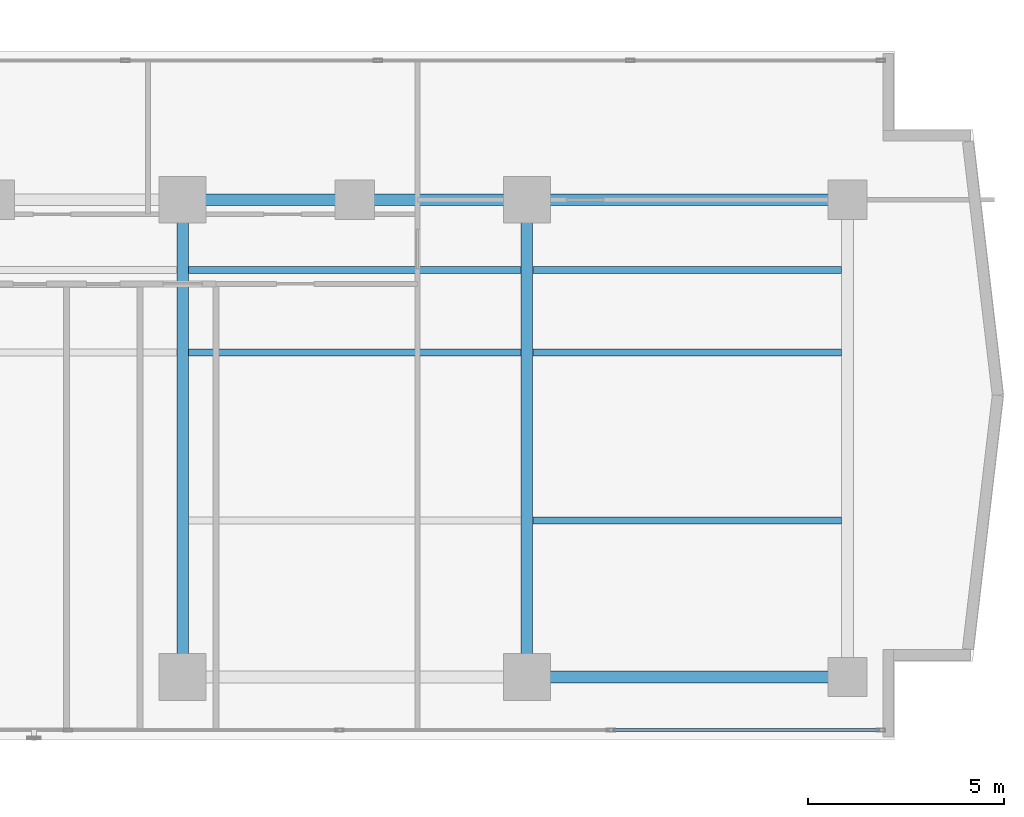
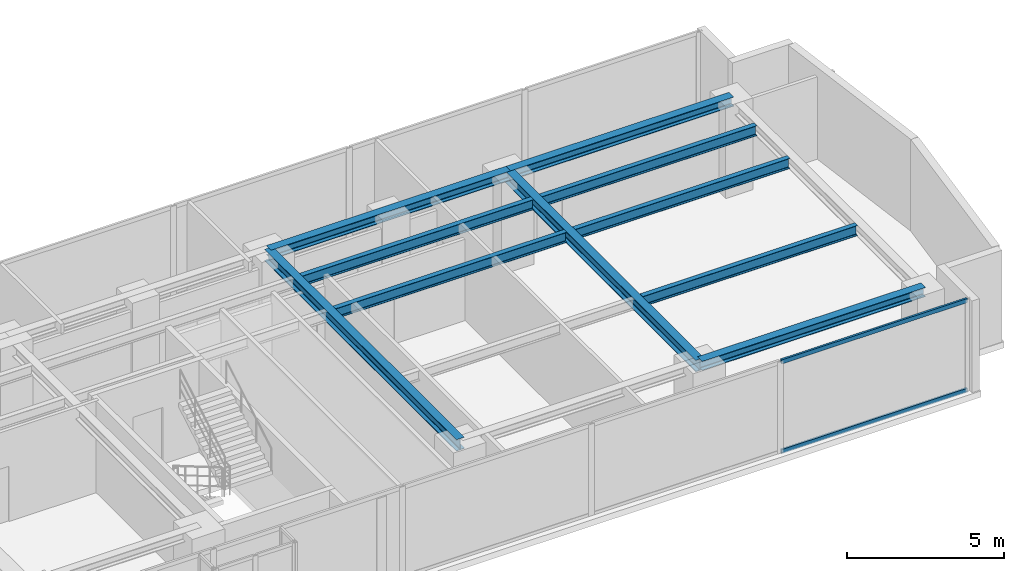
# One storey, part 11 of 24: 10 beams, 2 members, 1 element without a shape of its own.
"""IFC4 building model written with IfcOpenShell, lengths in metres."""

from ifc_helpers import new_model, si_unit, direction, frame, origin, origin_with_axes, origin_2d, place, context, subcontext, project, spatial, hollow_rectangle, i_section, extrude, source, transform, mapped, material, layer, layer_set, material_profile, profile_set, type_object, element, aggregate, save


model = new_model("IFC4")

# Units and contexts
model_context = context("Model", 3, precision=1e-05, world=origin(), true_north=direction((0.0, 1.0)))
body_context = subcontext(model_context, "Body", "Model", "MODEL_VIEW")
ifc_project = project(units=[si_unit("LENGTHUNIT", "METRE"), si_unit("AREAUNIT", "SQUARE_METRE"), si_unit("VOLUMEUNIT", "CUBIC_METRE"), si_unit("PLANEANGLEUNIT", "RADIAN"), si_unit("MASSUNIT", "GRAM", prefix="KILO")], contexts=[model_context])

# Site, building, storey
site_placement = place(None, origin())
site = spatial("IfcSite", under=ifc_project, at=site_placement, CompositionType="ELEMENT")
building_placement = place(site_placement, origin())
building = spatial("IfcBuilding", under=site, at=building_placement, Name="Kolvaren Waterfront Exchange", CompositionType="ELEMENT")
storey_placement = place(building_placement, frame((0.0, 0.0, 184.199951171875)))
storey = spatial("IfcBuildingStorey", under=building, at=storey_placement, Name="L47", CompositionType="ELEMENT", Elevation=184.199951171875)

# Beams
ifc_material_1 = material(Name="Steel S355", Category="steel")
ifc_material_profile_1 = material_profile(ifc_material_1, i_section(OverallWidth=0.300048828125, OverallDepth=0.360107421875, WebThickness=0.012451171875, FlangeThickness=0.0224609375, FilletRadius=0.027099609375, at=origin_2d()), Name="HEB360")
ifc_profile_set_1 = profile_set([ifc_material_profile_1], Name="Steel S355")
beam_type_1 = type_object("IfcBeamType", Name="STR-BM-HEB360", PredefinedType="SPANDREL", material=ifc_profile_set_1)
beam_1_placement = place(storey_placement, frame((45.60009765625, 5.199951171875, 3.380126953125), z_axis=(1.0, 0.0, 0.0), x_axis=(0.0, 1.0, 0.0)))
element("IfcBeam", 1, at=beam_1_placement, inside=storey, type_object=beam_type_1, Name="L47 east-arm spandrel S4", PredefinedType="SPANDREL", context=body_context, shape_type="SweptSolid", body=[
    extrude(i_section(OverallWidth=0.300048828125, OverallDepth=0.360107421875, WebThickness=0.012451171875, FlangeThickness=0.0224609375, FilletRadius=0.027099609375, at=origin_2d()), origin(), (0.0, 0.0, 1.0), 8.199951171875),
])
beam_2_placement = place(storey_placement, frame((36.800048828125, 17.39990234375, 3.380126953125), z_axis=(1.0, 0.0, 0.0), x_axis=(0.0, 1.0, 0.0)))
element("IfcBeam", 2, at=beam_2_placement, inside=storey, type_object=beam_type_1, Name="L47 east-arm spandrel N3", PredefinedType="SPANDREL", context=body_context, shape_type="SweptSolid", body=[
    extrude(i_section(OverallWidth=0.300048828125, OverallDepth=0.360107421875, WebThickness=0.012451171875, FlangeThickness=0.0224609375, FilletRadius=0.027099609375, at=origin_2d()), origin(), (0.0, 0.0, 1.0), 8.800048828125),
])
beam_3_placement = place(storey_placement, frame((45.60009765625, 17.39990234375, 3.380126953125), z_axis=(1.0, 0.0, 0.0), x_axis=(0.0, 1.0, 0.0)))
element("IfcBeam", 3, at=beam_3_placement, inside=storey, type_object=beam_type_1, Name="L47 east-arm spandrel N4", PredefinedType="SPANDREL", context=body_context, shape_type="SweptSolid", body=[
    extrude(i_section(OverallWidth=0.300048828125, OverallDepth=0.360107421875, WebThickness=0.012451171875, FlangeThickness=0.0224609375, FilletRadius=0.027099609375, at=origin_2d()), origin(), (0.0, 0.0, 1.0), 8.199951171875),
])
ifc_material_profile_2 = material_profile(ifc_material_1, i_section(OverallWidth=0.300048828125, OverallDepth=0.449951171875, WebThickness=0.013916015625, FlangeThickness=0.02587890625, FilletRadius=0.027099609375, at=origin_2d()), Name="HEB450")
ifc_profile_set_2 = profile_set([ifc_material_profile_2], Name="Steel S355")
beam_type_2 = type_object("IfcBeamType", Name="STR-BM-HEB450", PredefinedType="BEAM", material=ifc_profile_set_2)
for number, where, z_axis, x_axis, name in (
    (4, (36.800048828125, 5.199951171875, 3.3349609375), (0.0, 1.0, 0.0), (-1.0, 0.0, 0.0), "L47 east-arm transverse girder X36"),
    (5, (45.60009765625, 5.199951171875, 3.3349609375), (0.0, 1.0, 0.0), (-1.0, 0.0, 0.0), "L47 east-arm transverse girder X45"),
):
    element("IfcBeam", number, at=place(storey_placement, frame(where, z_axis=z_axis, x_axis=x_axis)), inside=storey, type_object=beam_type_2, Name=name, PredefinedType="BEAM", context=body_context, shape_type="SweptSolid", body=[
        extrude(i_section(OverallWidth=0.300048828125, OverallDepth=0.449951171875, WebThickness=0.013916015625, FlangeThickness=0.02587890625, FilletRadius=0.027099609375, at=origin_2d()), origin(), (0.0, 0.0, 1.0), 12.199951171875),
    ])
ifc_material_profile_3 = material_profile(ifc_material_1, i_section(OverallWidth=0.179931640625, OverallDepth=0.39990234375, WebThickness=0.008544921875, FlangeThickness=0.013427734375, FilletRadius=0.02099609375, at=origin_2d()), Name="IPE400")
ifc_profile_set_3 = profile_set([ifc_material_profile_3], Name="Steel S355")
beam_type_3 = type_object("IfcBeamType", Name="STR-BM-IPE400", PredefinedType="JOIST", material=ifc_profile_set_3)
for number, where, z_axis, x_axis, name in (
    (6, (36.951904296875, 13.5, 3.360107421875), (1.0, 0.0, 0.0), (0.0, 1.0, 0.0), "L47 east-arm composite joist 3A"),
    (7, (36.951904296875, 15.60009765625, 3.360107421875), (1.0, 0.0, 0.0), (0.0, 1.0, 0.0), "L47 east-arm composite joist 3C"),
):
    element("IfcBeam", number, at=place(storey_placement, frame(where, z_axis=z_axis, x_axis=x_axis)), inside=storey, type_object=beam_type_3, Name=name, PredefinedType="JOIST", context=body_context, shape_type="SweptSolid", body=[
        extrude(i_section(OverallWidth=0.179931640625, OverallDepth=0.39990234375, WebThickness=0.008544921875, FlangeThickness=0.013427734375, FilletRadius=0.02099609375, at=origin_2d()), origin(), (0.0, 0.0, 1.0), 8.49609375),
    ])
for number, where, z_axis, x_axis, name in (
    (8, (45.751953125, 13.5, 3.360107421875), (1.0, 0.0, 0.0), (0.0, 1.0, 0.0), "L47 east-arm composite joist 4A"),
    (9, (45.751953125, 15.60009765625, 3.360107421875), (1.0, 0.0, 0.0), (0.0, 1.0, 0.0), "L47 east-arm composite joist 4C"),
    (10, (45.751953125, 9.199951171875, 3.360107421875), (1.0, 0.0, 0.0), (0.0, 1.0, 0.0), "L47 east-arm composite joist 4B"),
):
    element("IfcBeam", number, at=place(storey_placement, frame(where, z_axis=z_axis, x_axis=x_axis)), inside=storey, type_object=beam_type_3, Name=name, PredefinedType="JOIST", context=body_context, shape_type="SweptSolid", body=[
        extrude(i_section(OverallWidth=0.179931640625, OverallDepth=0.39990234375, WebThickness=0.008544921875, FlangeThickness=0.013427734375, FilletRadius=0.02099609375, at=origin_2d()), origin(), (0.0, 0.0, 1.0), 7.89599609375),
    ])

# Curtain wall, members
ifc_material_2 = material(Name="Anodised bronze aluminium 6063-T6", Category="aluminium")
ifc_layer = layer(ifc_material_2, 0.219970703125, Name="Anodised bronze aluminium 6063-T6")
ifc_layer_set = layer_set([ifc_layer], Name="Anodised bronze aluminium 6063-T6")
curtain_wall_type = type_object("IfcCurtainWallType", Name="ARC-CW-SYS1", PredefinedType="USERDEFINED", material=ifc_layer_set)
curtain_wall_placement = place(storey_placement, origin())
curtain_wall = element("IfcCurtainWall", 11, at=curtain_wall_placement, inside=storey, type_object=curtain_wall_type, Name="L47 stick curtain wall CW1 (CW-L47-S)", ObjectType="STICK CURTAIN WALL", PredefinedType="USERDEFINED")
ifc_material_3 = material(Name="Anodised aluminium 6063-T6", Category="aluminium")
ifc_material_profile_4 = material_profile(ifc_material_3, hollow_rectangle(XDim=0.074951171875, YDim=0.159912109375, WallThickness=0.00439453125, at=origin_2d()), Name="ALU-TRN-160x75x4.5")
ifc_profile_set_4 = profile_set([ifc_material_profile_4], Name="Anodised aluminium 6063-T6")
member_type = type_object("IfcMemberType", Name="ARC-CWT-160", PredefinedType="USERDEFINED", material=ifc_profile_set_4)
shared_shape = source(origin_with_axes(), body_context, "Body", "SweptSolid", [
    extrude(hollow_rectangle(XDim=0.074951171875, YDim=0.159912109375, WallThickness=0.00439453125, at=origin_2d()), origin(), (0.0, 0.0, 1.0), 6.822998046875),
])
member_1_placement = place(storey_placement, frame((47.797119140625, 3.840087890625, 0.03759765625), z_axis=(1.0, 0.0, 0.0), x_axis=(0.0, 1.0, 0.0)))
member_1 = element("IfcMember", 12, at=member_1_placement, type_object=member_type, Name="CW1 transom 7.1", ObjectType="TRANSOM", PredefinedType="USERDEFINED", context=body_context, shape_type="MappedRepresentation", body=[
    mapped(shared_shape, transform((0.0, 0.0, 0.0), x_axis=(1.0, 0.0, 0.0), y_axis=(0.0, 1.0, 0.0), z_axis=(0.0, 0.0, 1.0), scale=1.0)),
])
member_2_placement = place(storey_placement, frame((47.797119140625, 3.840087890625, 3.5224609375), z_axis=(1.0, 0.0, 0.0), x_axis=(0.0, 1.0, 0.0)))
member_2 = element("IfcMember", 13, at=member_2_placement, type_object=member_type, Name="CW1 transom 7.2", ObjectType="TRANSOM", PredefinedType="USERDEFINED", context=body_context, shape_type="MappedRepresentation", body=[
    mapped(shared_shape, transform((0.0, 0.0, 0.0), x_axis=(1.0, 0.0, 0.0), y_axis=(0.0, 1.0, 0.0), z_axis=(0.0, 0.0, 1.0), scale=1.0)),
])
aggregate(curtain_wall, [member_1, member_2])

save(model, "model.ifc")
